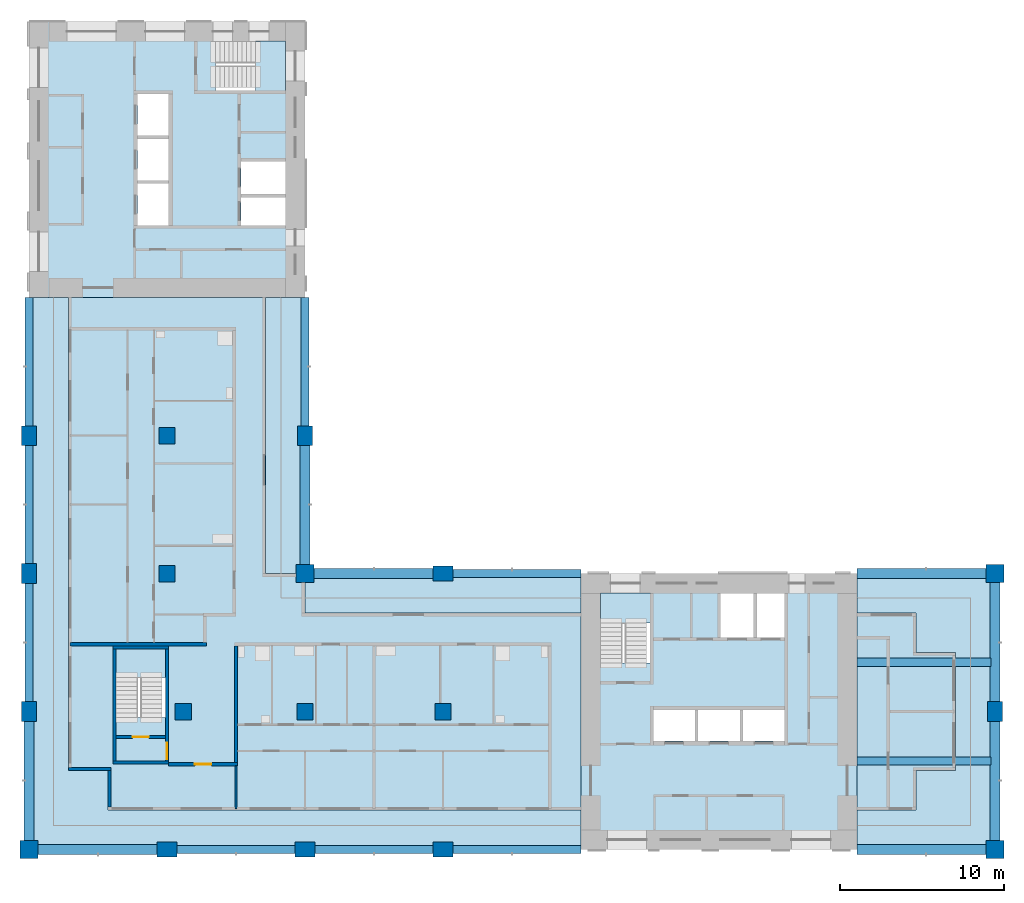
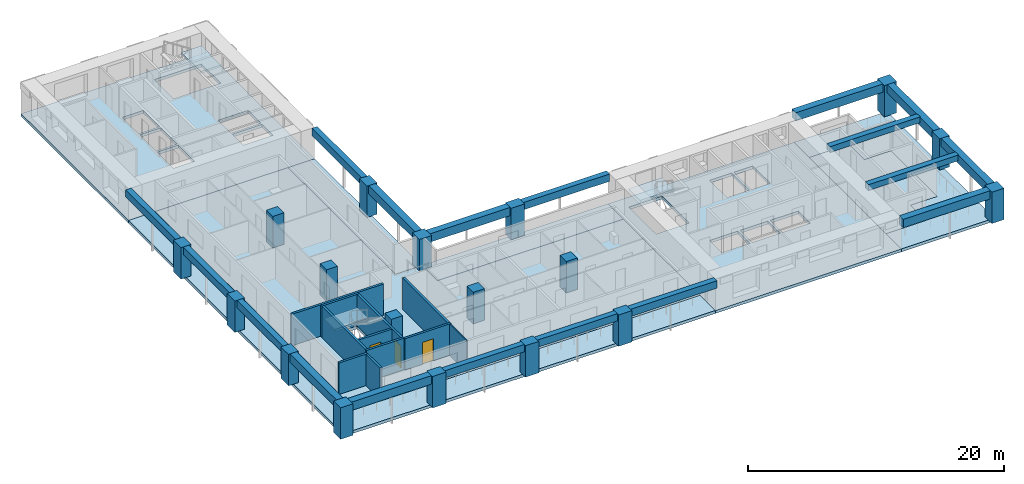
# One storey, part 1 of 11: 18 beams, 18 columns, 12 slabs, 11 walls, 3 doors, 3 openings, 3 elements without a shape of their own.
"""IFC4 building model written with IfcOpenShell, lengths in metres."""

from ifc_helpers import new_model, si_unit, direction, frame, frame_2d, origin, origin_2d, place, context, subcontext, project, spatial, polyline, rectangle, outline, extrude, material, layer, layer_set, material_profile, profile_set, type_object, element, fill, aggregate, save


model = new_model("IFC4")

# Units and contexts
model_context = context("Model", 3, precision=1e-05, world=origin(), true_north=direction((0.0, 1.0)))
body_context = subcontext(model_context, "Body", "Model", "MODEL_VIEW")
ifc_project = project(units=[si_unit("LENGTHUNIT", "METRE"), si_unit("AREAUNIT", "SQUARE_METRE"), si_unit("VOLUMEUNIT", "CUBIC_METRE"), si_unit("PLANEANGLEUNIT", "RADIAN"), si_unit("MASSUNIT", "GRAM", prefix="KILO")], contexts=[model_context])

# Site, building, storey
site_placement = place(None, origin())
site = spatial("IfcSite", under=ifc_project, at=site_placement, CompositionType="ELEMENT")
building_placement = place(site_placement, origin())
building = spatial("IfcBuilding", under=site, at=building_placement, Name="Vermilion Gate Residences", CompositionType="ELEMENT")
storey_placement = place(building_placement, frame((0.0, 0.0, 203.699951171875)))
storey = spatial("IfcBuildingStorey", under=building, at=storey_placement, Name="L53", CompositionType="ELEMENT", Elevation=203.699951171875)

# Columns
ifc_material_1 = material(Name="Concrete C60", Category="concrete")
ifc_material_profile_1 = material_profile(ifc_material_1, rectangle(XDim=1.0, YDim=1.0, at=origin_2d()), Name="RC-1000x1000")
ifc_profile_set_1 = profile_set([ifc_material_profile_1], Name="Concrete C60")
column_type_1 = type_object("IfcColumnType", Name="RC COLUMN 1000 X 1000 C60", PredefinedType="COLUMN", material=ifc_profile_set_1)
for number, where, z_axis, x_axis, name in (
    (1, (17.800048828125, 16.800048828125, 0.0), (0.0, 0.0, 1.0), (1.0, 0.0, 0.0), "Column 3-C L53"),
    (2, (16.800048828125, 25.199951171875, 0.0), (0.0, 0.0, 1.0), (1.0, 0.0, 0.0), "Column 3-D L53"),
    (3, (16.800048828125, 33.60009765625, 0.0), (0.0, 0.0, 1.0), (1.0, 0.0, 0.0), "Column 3-E L53"),
    (4, (25.199951171875, 16.800048828125, 0.0), (0.0, 0.0, 1.0), (1.0, 0.0, 0.0), "Column 4-C L53"),
    (5, (33.60009765625, 16.800048828125, 0.0), (0.0, 0.0, 1.0), (1.0, 0.0, 0.0), "Column 5-C L53"),
):
    element("IfcColumn", number, at=place(storey_placement, frame(where, z_axis=z_axis, x_axis=x_axis)), inside=storey, type_object=column_type_1, Name=name, PredefinedType="COLUMN", context=body_context, shape_type="SweptSolid", body=[
        extrude(rectangle(XDim=1.0, YDim=1.0, at=origin_2d()), origin(), (0.0, 0.0, 1.0), 3.0),
    ])
ifc_material_2 = material(Name="Concrete C60", Category="concrete")
ifc_material_profile_2 = material_profile(ifc_material_2, rectangle(XDim=1.10009765625, YDim=1.10009765625, at=origin_2d()), Name="RC-1100x1100")
ifc_profile_set_2 = profile_set([ifc_material_profile_2], Name="Concrete C60")
column_type_2 = type_object("IfcColumnType", Name="RC COLUMN 1100 X 1100 C60", PredefinedType="COLUMN", material=ifc_profile_set_2)
for number, where, z_axis, x_axis, name in (
    (6, (8.39990234375, 8.39990234375, 0.0), (0.0, 0.0, 1.0), (1.0, 0.0, 0.0), "Column 2-B L53"),
    (7, (25.199951171875, 25.199951171875, 0.0), (0.0, 0.0, 1.0), (1.0, 0.0, 0.0), "Column 4-D L53"),
    (8, (67.199951171875, 8.39990234375, 0.0), (0.0, 0.0, 1.0), (1.0, 0.0, 0.0), "Column 9-B L53"),
    (9, (67.199951171875, 25.199951171875, 0.0), (0.0, 0.0, 1.0), (1.0, 0.0, 0.0), "Column 9-D L53"),
):
    element("IfcColumn", number, at=place(storey_placement, frame(where, z_axis=z_axis, x_axis=x_axis)), inside=storey, type_object=column_type_2, Name=name, PredefinedType="COLUMN", context=body_context, shape_type="SweptSolid", body=[
        extrude(rectangle(XDim=1.10009765625, YDim=1.10009765625, at=origin_2d()), origin(), (0.0, 0.0, 1.0), 3.0),
    ])
ifc_material_3 = material(Name="Concrete C60", Category="concrete")
ifc_material_profile_3 = material_profile(ifc_material_3, rectangle(XDim=1.199951171875, YDim=0.89990234375, at=origin_2d()), Name="RC-1200x900")
ifc_profile_set_3 = profile_set([ifc_material_profile_3], Name="Concrete C60")
column_type_3 = type_object("IfcColumnType", Name="RC COLUMN 1200 X 900 C60", PredefinedType="COLUMN", material=ifc_profile_set_3)
for number, where, z_axis, x_axis, name in (
    (10, (8.39990234375, 16.800048828125, 0.0), (0.0, 0.0, 1.0), (0.0, 1.0, 0.0), "Column 2-C L53"),
    (11, (8.39990234375, 25.199951171875, 0.0), (0.0, 0.0, 1.0), (0.0, 1.0, 0.0), "Column 2-D L53"),
    (12, (8.39990234375, 33.60009765625, 0.0), (0.0, 0.0, 1.0), (0.0, 1.0, 0.0), "Column 2-E L53"),
    (13, (16.800048828125, 8.39990234375, 0.0), (0.0, 0.0, 1.0), (1.0, 0.0, 0.0), "Column 3-B L53"),
    (14, (25.199951171875, 8.39990234375, 0.0), (0.0, 0.0, 1.0), (1.0, 0.0, 0.0), "Column 4-B L53"),
    (15, (25.199951171875, 33.60009765625, 0.0), (0.0, 0.0, 1.0), (0.0, 1.0, 0.0), "Column 4-E L53"),
    (16, (33.60009765625, 8.39990234375, 0.0), (0.0, 0.0, 1.0), (1.0, 0.0, 0.0), "Column 5-B L53"),
    (17, (33.60009765625, 25.199951171875, 0.0), (0.0, 0.0, 1.0), (1.0, 0.0, 0.0), "Column 5-D L53"),
    (18, (67.199951171875, 16.800048828125, 0.0), (0.0, 0.0, 1.0), (0.0, 1.0, 0.0), "Column 9-C L53"),
):
    element("IfcColumn", number, at=place(storey_placement, frame(where, z_axis=z_axis, x_axis=x_axis)), inside=storey, type_object=column_type_3, Name=name, PredefinedType="COLUMN", context=body_context, shape_type="SweptSolid", body=[
        extrude(rectangle(XDim=1.199951171875, YDim=0.89990234375, at=origin_2d()), origin(), (0.0, 0.0, 1.0), 3.0),
    ])

# Beams
ifc_material_4 = material(Name="Concrete C60 red-oxide pigmented", Category="concrete")
ifc_material_profile_4 = material_profile(ifc_material_4, rectangle(XDim=0.60009765625, YDim=0.800048828125, at=origin_2d()), Name="RC-600x800")
ifc_profile_set_4 = profile_set([ifc_material_profile_4], Name="Concrete C60 red-oxide pigmented")
beam_type_1 = type_object("IfcBeamType", Name="RC CORNER EDGE BEAM 600 X 800 C60", PredefinedType="BEAM", material=ifc_profile_set_4)
for number, where, z_axis, x_axis, name in (
    (19, (8.949951171875, 8.39990234375, 2.60009765625), (1.0, 0.0, 0.0), (0.0, 1.0, 0.0), "Corner edge beam L53 1"),
    (20, (8.39990234375, 8.949951171875, 2.60009765625), (0.0, 1.0, 0.0), (-1.0, 0.0, 0.0), "Corner edge beam L53 2"),
    (21, (25.199951171875, 25.75, 2.60009765625), (0.0, 1.0, 0.0), (-1.0, 0.0, 0.0), "Corner edge beam L53 7"),
    (22, (25.75, 25.199951171875, 2.60009765625), (1.0, 0.0, 0.0), (0.0, 1.0, 0.0), "Corner edge beam L53 10"),
):
    element("IfcBeam", number, at=place(storey_placement, frame(where, z_axis=z_axis, x_axis=x_axis)), inside=storey, type_object=beam_type_1, Name=name, PredefinedType="BEAM", context=body_context, shape_type="SweptSolid", body=[
        extrude(rectangle(XDim=0.60009765625, YDim=0.800048828125, at=origin_2d()), origin(), (0.0, 0.0, 1.0), 7.25),
    ])
beam_1_placement = place(storey_placement, frame((58.800048828125, 8.39990234375, 2.60009765625), z_axis=(1.0, 0.0, 0.0), x_axis=(0.0, 1.0, 0.0)))
element("IfcBeam", 23, at=beam_1_placement, inside=storey, type_object=beam_type_1, Name="Corner edge beam L53 13", PredefinedType="BEAM", context=body_context, shape_type="SweptSolid", body=[
    extrude(rectangle(XDim=0.60009765625, YDim=0.800048828125, at=origin_2d()), origin(), (0.0, 0.0, 1.0), 7.849853515625),
])
for number, where, z_axis, x_axis, name in (
    (24, (67.199951171875, 8.949951171875, 2.60009765625), (0.0, 1.0, 0.0), (-1.0, 0.0, 0.0), "Corner edge beam L53 14"),
    (25, (67.199951171875, 17.39990234375, 2.60009765625), (0.0, 1.0, 0.0), (-1.0, 0.0, 0.0), "Corner edge beam L53 15"),
):
    element("IfcBeam", number, at=place(storey_placement, frame(where, z_axis=z_axis, x_axis=x_axis)), inside=storey, type_object=beam_type_1, Name=name, PredefinedType="BEAM", context=body_context, shape_type="SweptSolid", body=[
        extrude(rectangle(XDim=0.60009765625, YDim=0.800048828125, at=origin_2d()), origin(), (0.0, 0.0, 1.0), 7.25),
    ])
beam_2_placement = place(storey_placement, frame((58.800048828125, 25.199951171875, 2.60009765625), z_axis=(1.0, 0.0, 0.0), x_axis=(0.0, 1.0, 0.0)))
element("IfcBeam", 26, at=beam_2_placement, inside=storey, type_object=beam_type_1, Name="Corner edge beam L53 16", PredefinedType="BEAM", context=body_context, shape_type="SweptSolid", body=[
    extrude(rectangle(XDim=0.60009765625, YDim=0.800048828125, at=origin_2d()), origin(), (0.0, 0.0, 1.0), 7.849853515625),
])
ifc_material_5 = material(Name="Concrete C60 red-oxide pigmented", Category="concrete")
ifc_material_profile_5 = material_profile(ifc_material_5, rectangle(XDim=0.5, YDim=0.699951171875, at=origin_2d()), Name="RC-500x700")
ifc_profile_set_5 = profile_set([ifc_material_profile_5], Name="Concrete C60 red-oxide pigmented")
beam_type_2 = type_object("IfcBeamType", Name="RC EDGE BEAM 500 X 700 C60", PredefinedType="BEAM", material=ifc_profile_set_5)
beam_3_placement = place(storey_placement, frame((8.39990234375, 17.39990234375, 2.650146484375), z_axis=(0.0, 1.0, 0.0), x_axis=(-1.0, 0.0, 0.0)))
element("IfcBeam", 27, at=beam_3_placement, inside=storey, type_object=beam_type_2, Name="Edge beam L53 3", PredefinedType="BEAM", context=body_context, shape_type="SweptSolid", body=[
    extrude(rectangle(XDim=0.5, YDim=0.699951171875, at=origin_2d()), origin(), (0.0, 0.0, 1.0), 7.2001953125),
])
beam_4_placement = place(storey_placement, frame((8.39990234375, 25.800048828125, 2.650146484375), z_axis=(0.0, 1.0, 0.0), x_axis=(-1.0, 0.0, 0.0)))
element("IfcBeam", 28, at=beam_4_placement, inside=storey, type_object=beam_type_2, Name="Edge beam L53 4", PredefinedType="BEAM", context=body_context, shape_type="SweptSolid", body=[
    extrude(rectangle(XDim=0.5, YDim=0.699951171875, at=origin_2d()), origin(), (0.0, 0.0, 1.0), 7.199951171875),
])
beam_5_placement = place(storey_placement, frame((8.39990234375, 34.199951171875, 2.650146484375), z_axis=(0.0, 1.0, 0.0), x_axis=(-1.0, 0.0, 0.0)))
element("IfcBeam", 29, at=beam_5_placement, inside=storey, type_object=beam_type_2, Name="Edge beam L53 5", PredefinedType="BEAM", context=body_context, shape_type="SweptSolid", body=[
    extrude(rectangle(XDim=0.5, YDim=0.699951171875, at=origin_2d()), origin(), (0.0, 0.0, 1.0), 7.800048828125),
])
beam_6_placement = place(storey_placement, frame((17.39990234375, 8.39990234375, 2.650146484375), z_axis=(1.0, 0.0, 0.0), x_axis=(0.0, 1.0, 0.0)))
element("IfcBeam", 30, at=beam_6_placement, inside=storey, type_object=beam_type_2, Name="Edge beam L53 6", PredefinedType="BEAM", context=body_context, shape_type="SweptSolid", body=[
    extrude(rectangle(XDim=0.5, YDim=0.699951171875, at=origin_2d()), origin(), (0.0, 0.0, 1.0), 7.2001953125),
])
beam_7_placement = place(storey_placement, frame((25.199951171875, 34.199951171875, 2.650146484375), z_axis=(0.0, 1.0, 0.0), x_axis=(-1.0, 0.0, 0.0)))
element("IfcBeam", 31, at=beam_7_placement, inside=storey, type_object=beam_type_2, Name="Edge beam L53 8", PredefinedType="BEAM", context=body_context, shape_type="SweptSolid", body=[
    extrude(rectangle(XDim=0.5, YDim=0.699951171875, at=origin_2d()), origin(), (0.0, 0.0, 1.0), 7.800048828125),
])
beam_8_placement = place(storey_placement, frame((25.800048828125, 8.39990234375, 2.650146484375), z_axis=(1.0, 0.0, 0.0), x_axis=(0.0, 1.0, 0.0)))
element("IfcBeam", 32, at=beam_8_placement, inside=storey, type_object=beam_type_2, Name="Edge beam L53 9", PredefinedType="BEAM", context=body_context, shape_type="SweptSolid", body=[
    extrude(rectangle(XDim=0.5, YDim=0.699951171875, at=origin_2d()), origin(), (0.0, 0.0, 1.0), 7.199951171875),
])
for number, where, z_axis, x_axis, name in (
    (33, (34.199951171875, 8.39990234375, 2.650146484375), (1.0, 0.0, 0.0), (0.0, 1.0, 0.0), "Edge beam L53 11"),
    (34, (34.199951171875, 25.199951171875, 2.650146484375), (1.0, 0.0, 0.0), (0.0, 1.0, 0.0), "Edge beam L53 12"),
):
    element("IfcBeam", number, at=place(storey_placement, frame(where, z_axis=z_axis, x_axis=x_axis)), inside=storey, type_object=beam_type_2, Name=name, PredefinedType="BEAM", context=body_context, shape_type="SweptSolid", body=[
        extrude(rectangle(XDim=0.5, YDim=0.699951171875, at=origin_2d()), origin(), (0.0, 0.0, 1.0), 7.800048828125),
    ])
ifc_material_6 = material(Name="Concrete C60", Category="concrete")
ifc_material_profile_6 = material_profile(ifc_material_6, rectangle(XDim=0.5, YDim=0.550048828125, at=origin_2d()), Name="RC-500x550")
ifc_profile_set_6 = profile_set([ifc_material_profile_6], Name="Concrete C60")
beam_type_3 = type_object("IfcBeamType", Name="RC WING BEAM 500 X 550 C60", PredefinedType="BEAM", material=ifc_profile_set_6)
for number, where, z_axis, x_axis, name in (
    (35, (58.800048828125, 13.800048828125, 2.72509765625), (1.0, 0.0, 0.0), (0.0, 1.0, 0.0), "Wing-end beam L53 1"),
    (36, (58.800048828125, 19.800048828125, 2.72509765625), (1.0, 0.0, 0.0), (0.0, 1.0, 0.0), "Wing-end beam L53 2"),
):
    element("IfcBeam", number, at=place(storey_placement, frame(where, z_axis=z_axis, x_axis=x_axis)), inside=storey, type_object=beam_type_3, Name=name, PredefinedType="BEAM", context=body_context, shape_type="SweptSolid", body=[
        extrude(rectangle(XDim=0.5, YDim=0.550048828125, at=origin_2d()), origin(), (0.0, 0.0, 1.0), 8.14990234375),
    ])

# Slabs
ifc_material_7 = material(Name="Concrete C50", Category="concrete")
ifc_layer_1 = layer(ifc_material_7, 0.280029296875)
ifc_layer_set_1 = layer_set([ifc_layer_1], Name="RC CORE FLOOR SLAB 280 C50")
slab_type_1 = type_object("IfcSlabType", Name="RC CORE FLOOR SLAB 280 C50", PredefinedType="FLOOR", material=ifc_layer_set_1)
slab_1_placement = place(storey_placement, frame((0.0, 0.0, -0.280029296875)))
element("IfcSlab", 37, at=slab_1_placement, inside=storey, type_object=slab_type_1, Name="Core floor slab A53", PredefinedType="FLOOR", context=body_context, shape_type="SweptSolid", body=[
    extrude(outline(polyline([(42.0, 8.39990234375), (58.800048828125, 8.39990234375), (58.800048828125, 25.199951171875), (42.0, 25.199951171875), (42.0, 8.39990234375)]), holes=[polyline([(46.39990234375, 15.0), (46.39990234375, 16.89990234375), (48.933349609375, 16.89990234375), (48.933349609375, 15.0), (46.39990234375, 15.0)]), polyline([(49.13330078125, 16.89990234375), (51.666748046875, 16.89990234375), (51.666748046875, 15.0), (49.13330078125, 15.0), (49.13330078125, 16.89990234375)]), polyline([(51.86669921875, 16.89990234375), (54.39990234375, 16.89990234375), (54.39990234375, 15.0), (51.86669921875, 15.0), (51.86669921875, 16.89990234375)]), polyline([(43.199951171875, 19.75), (43.199951171875, 24.0), (46.199951171875, 24.0), (46.199951171875, 19.75), (43.199951171875, 19.75)]), polyline([(50.5, 24.0), (52.5, 24.0), (52.5, 21.300048828125), (50.5, 21.300048828125), (50.5, 24.0)]), polyline([(52.699951171875, 24.0), (54.39990234375, 24.0), (54.39990234375, 21.300048828125), (52.699951171875, 21.300048828125), (52.699951171875, 24.0)])]), origin(), (0.0, 0.0, 1.0), 0.280029296875),
])
slab_2_placement = place(storey_placement, frame((0.0, 0.0, -0.280029296875)))
element("IfcSlab", 38, at=slab_2_placement, inside=storey, type_object=slab_type_1, Name="Core floor slab B53", PredefinedType="FLOOR", context=body_context, shape_type="SweptSolid", body=[
    extrude(outline(polyline([(8.39990234375, 42.0), (25.199951171875, 42.0), (25.199951171875, 58.800048828125), (8.39990234375, 58.800048828125), (8.39990234375, 42.0)]), holes=[polyline([(21.300048828125, 46.39990234375), (21.300048828125, 48.10009765625), (24.0, 48.10009765625), (24.0, 46.39990234375), (21.300048828125, 46.39990234375)]), polyline([(15.0, 48.933349609375), (16.89990234375, 48.933349609375), (16.89990234375, 46.39990234375), (15.0, 46.39990234375), (15.0, 48.933349609375)]), polyline([(21.300048828125, 50.300048828125), (24.0, 50.300048828125), (24.0, 48.300048828125), (21.300048828125, 48.300048828125), (21.300048828125, 50.300048828125)]), polyline([(15.0, 49.13330078125), (15.0, 51.666748046875), (16.89990234375, 51.666748046875), (16.89990234375, 49.13330078125), (15.0, 49.13330078125)]), polyline([(15.0, 54.39990234375), (16.89990234375, 54.39990234375), (16.89990234375, 51.86669921875), (15.0, 51.86669921875), (15.0, 54.39990234375)]), polyline([(19.75, 57.60009765625), (24.0, 57.60009765625), (24.0, 54.60009765625), (19.75, 54.60009765625), (19.75, 57.60009765625)])]), origin(), (0.0, 0.0, 1.0), 0.280029296875),
])
slab_3_placement = place(storey_placement, frame((0.0, 0.0, -0.280029296875)))
element("IfcSlab", 39, at=slab_3_placement, inside=storey, type_object=slab_type_1, Name="Apex stair floor slab 53", PredefinedType="FLOOR", context=body_context, shape_type="SweptSolid", body=[
    extrude(outline(polyline([(13.5, 13.60009765625), (16.89990234375, 13.60009765625), (16.89990234375, 20.800048828125), (13.5, 20.800048828125), (13.5, 13.60009765625)]), holes=[polyline([(16.699951171875, 20.60009765625), (16.699951171875, 16.449951171875), (13.699951171875, 16.449951171875), (13.699951171875, 20.60009765625), (16.699951171875, 20.60009765625)])]), origin(), (0.0, 0.0, 1.0), 0.280029296875),
])
ifc_material_8 = material(Name="Concrete C50", Category="concrete")
ifc_layer_2 = layer(ifc_material_8, 0.280029296875)
ifc_layer_set_2 = layer_set([ifc_layer_2], Name="RC FLAT PLATE 280 C50")
slab_type_2 = type_object("IfcSlabType", Name="RC FLAT PLATE 280 C50", PredefinedType="FLOOR", material=ifc_layer_set_2)
slab_4_placement = place(storey_placement, frame((0.0, 0.0, -0.280029296875)))
element("IfcSlab", 40, at=slab_4_placement, inside=storey, type_object=slab_type_2, Name="Floor slab L53", PredefinedType="FLOOR", context=body_context, shape_type="SweptSolid", body=[
    extrude(outline(polyline([(22.800048828125, 25.199951171875), (22.800048828125, 42.0), (10.800048828125, 42.0), (10.800048828125, 13.199951171875), (13.199951171875, 13.199951171875), (13.199951171875, 10.800048828125), (42.0, 10.800048828125), (42.0, 22.800048828125), (25.199951171875, 22.800048828125), (25.199951171875, 25.199951171875), (22.800048828125, 25.199951171875)]), holes=[polyline([(13.5, 13.60009765625), (13.5, 20.800048828125), (16.89990234375, 20.800048828125), (16.89990234375, 13.60009765625), (13.5, 13.60009765625)])]), origin(), (0.0, 0.0, 1.0), 0.280029296875),
])
slab_5_placement = place(storey_placement, frame((0.0, 0.0, -0.280029296875)))
element("IfcSlab", 41, at=slab_5_placement, inside=storey, type_object=slab_type_2, Name="Floor slab L53", PredefinedType="FLOOR", context=body_context, shape_type="SweptSolid", body=[
    extrude(outline(polyline([(58.800048828125, 22.800048828125), (58.800048828125, 10.800048828125), (62.39990234375, 10.800048828125), (62.39990234375, 13.199951171875), (64.800048828125, 13.199951171875), (64.800048828125, 20.39990234375), (62.39990234375, 20.39990234375), (62.39990234375, 22.800048828125), (58.800048828125, 22.800048828125)])), origin(), (0.0, 0.0, 1.0), 0.280029296875),
])
ifc_material_9 = material(Name="Concrete C50 red-oxide pigmented", Category="concrete")
ifc_layer_3 = layer(ifc_material_9, 0.280029296875)
ifc_layer_set_3 = layer_set([ifc_layer_3], Name="RC LOGGIA SLAB 280 C50")
slab_type_3 = type_object("IfcSlabType", Name="RC LOGGIA SLAB 280 C50", PredefinedType="FLOOR", material=ifc_layer_set_3)
slab_6_placement = place(storey_placement, frame((0.0, 0.0, -0.280029296875)))
element("IfcSlab", 42, at=slab_6_placement, inside=storey, type_object=slab_type_3, Name="Loggia slab L53", PredefinedType="FLOOR", context=body_context, shape_type="SweptSolid", body=[
    extrude(outline(polyline([(8.39990234375, 42.0), (8.39990234375, 8.39990234375), (42.0, 8.39990234375), (42.0, 10.800048828125), (13.199951171875, 10.800048828125), (13.199951171875, 13.199951171875), (10.800048828125, 13.199951171875), (10.800048828125, 42.0), (8.39990234375, 42.0)])), origin(), (0.0, 0.0, 1.0), 0.280029296875),
])
slab_7_placement = place(storey_placement, frame((0.0, 0.0, -0.280029296875)))
element("IfcSlab", 43, at=slab_7_placement, inside=storey, type_object=slab_type_3, Name="Loggia slab L53", PredefinedType="FLOOR", context=body_context, shape_type="SweptSolid", body=[
    extrude(outline(polyline([(64.800048828125, 13.199951171875), (62.39990234375, 13.199951171875), (62.39990234375, 10.800048828125), (58.800048828125, 10.800048828125), (58.800048828125, 8.39990234375), (67.199951171875, 8.39990234375), (67.199951171875, 25.199951171875), (58.800048828125, 25.199951171875), (58.800048828125, 22.800048828125), (62.39990234375, 22.800048828125), (62.39990234375, 20.39990234375), (64.800048828125, 20.39990234375), (64.800048828125, 13.199951171875)])), origin(), (0.0, 0.0, 1.0), 0.280029296875),
])
slab_8_placement = place(storey_placement, frame((0.0, 0.0, -0.280029296875)))
element("IfcSlab", 44, at=slab_8_placement, inside=storey, type_object=slab_type_3, Name="Loggia slab L53", PredefinedType="FLOOR", context=body_context, shape_type="SweptSolid", body=[
    extrude(outline(polyline([(42.0, 25.199951171875), (25.199951171875, 25.199951171875), (25.199951171875, 22.800048828125), (42.0, 22.800048828125), (42.0, 25.199951171875)])), origin(), (0.0, 0.0, 1.0), 0.280029296875),
])
slab_9_placement = place(storey_placement, frame((0.0, 0.0, -0.280029296875)))
element("IfcSlab", 45, at=slab_9_placement, inside=storey, type_object=slab_type_3, Name="Loggia slab L53", PredefinedType="FLOOR", context=body_context, shape_type="SweptSolid", body=[
    extrude(outline(polyline([(22.800048828125, 42.0), (22.800048828125, 25.199951171875), (25.199951171875, 25.199951171875), (25.199951171875, 42.0), (22.800048828125, 42.0)])), origin(), (0.0, 0.0, 1.0), 0.280029296875),
])

# Stair, slab
ifc_material_10 = material(Name="Concrete C50", Category="concrete")
stair_type = type_object("IfcStairType", Name="SPECIAL ESCAPE STAIR 1300", PredefinedType="HALF_TURN_STAIR", material=ifc_material_10)
stair_1_placement = place(storey_placement, origin())
stair_1 = element("IfcStair", 46, at=stair_1_placement, inside=storey, type_object=stair_type, Name="Special escape stair STA1-53", PredefinedType="HALF_TURN_STAIR")
ifc_material_11 = material(Name="Concrete C50", Category="concrete")
ifc_layer_4 = layer(ifc_material_11, 0.199951171875)
ifc_layer_set_4 = layer_set([ifc_layer_4], Name="STAIR LANDING 200 C50")
slab_type_4 = type_object("IfcSlabType", Name="STAIR LANDING 200 C50", PredefinedType="LANDING", material=ifc_layer_set_4)
slab_10_placement = place(storey_placement, frame((0.0, 0.0, 1.550048828125)))
slab_10 = element("IfcSlab", 47, at=slab_10_placement, type_object=slab_type_4, Name="STA1-53 landing 1", PredefinedType="LANDING", context=body_context, shape_type="SweptSolid", body=[
    extrude(outline(polyline([(46.219970703125, 22.179931640625), (46.219970703125, 24.02001953125), (43.179931640625, 24.02001953125), (43.179931640625, 22.179931640625), (46.219970703125, 22.179931640625)])), origin(), (0.0, 0.0, 1.0), 0.199951171875),
])
aggregate(stair_1, [slab_10])

stair_2_placement = place(storey_placement, origin())
stair_2 = element("IfcStair", 48, at=stair_2_placement, inside=storey, type_object=stair_type, Name="Special escape stair STB1-53", PredefinedType="HALF_TURN_STAIR")
slab_11_placement = place(storey_placement, frame((0.0, 0.0, 1.550048828125)))
slab_11 = element("IfcSlab", 49, at=slab_11_placement, type_object=slab_type_4, Name="STB1-53 landing 1", PredefinedType="LANDING", context=body_context, shape_type="SweptSolid", body=[
    extrude(outline(polyline([(24.02001953125, 54.580078125), (24.02001953125, 57.6201171875), (22.179931640625, 57.6201171875), (22.179931640625, 54.580078125), (24.02001953125, 54.580078125)])), origin(), (0.0, 0.0, 1.0), 0.199951171875),
])
aggregate(stair_2, [slab_11])

stair_3_placement = place(storey_placement, origin())
stair_3 = element("IfcStair", 50, at=stair_3_placement, inside=storey, type_object=stair_type, Name="Special escape stair STC1-53", PredefinedType="HALF_TURN_STAIR")
slab_12_placement = place(storey_placement, frame((0.0, 0.0, 1.550048828125)))
slab_12 = element("IfcSlab", 51, at=slab_12_placement, type_object=slab_type_4, Name="STC1-53 landing 1", PredefinedType="LANDING", context=body_context, shape_type="SweptSolid", body=[
    extrude(outline(polyline([(16.719970703125, 18.8798828125), (16.719970703125, 20.6201171875), (13.679931640625, 20.6201171875), (13.679931640625, 18.8798828125), (16.719970703125, 18.8798828125)])), origin(), (0.0, 0.0, 1.0), 0.199951171875),
])
aggregate(stair_3, [slab_12])

# Walls
ifc_material_12 = material(Name="Insulated steel stud wall with terracotta rainscreen", Category="masonry")
ifc_layer_5 = layer(ifc_material_12, 0.199951171875)
ifc_layer_set_5 = layer_set([ifc_layer_5], Name="EXTERNAL WALL 200 TERRACOTTA RAINSCREEN")
wall_type_1 = type_object("IfcWallType", Name="EXTERNAL WALL 200 TERRACOTTA RAINSCREEN", PredefinedType="SOLIDWALL", material=ifc_layer_set_5)
wall_1_placement = place(storey_placement, frame((10.800048828125, 13.300048828125, 0.0), z_axis=(0.0, 0.0, 1.0), x_axis=(1.0, 0.0, 0.0)))
element("IfcWall", 52, at=wall_1_placement, inside=storey, type_object=wall_type_1, Name="External wall", PredefinedType="SOLIDWALL", context=body_context, shape_type="SweptSolid", body=[
    extrude(rectangle(XDim=2.599853515625, YDim=0.199951171875, at=frame_2d((1.2998046875, 0.0))), origin(), (0.0, 0.0, 1.0), 3.0),
])
wall_2_placement = place(storey_placement, frame((13.300048828125, 13.199951171875, 0.0), z_axis=(0.0, 0.0, 1.0), x_axis=(0.0, -1.0, 0.0)))
element("IfcWall", 53, at=wall_2_placement, inside=storey, type_object=wall_type_1, Name="External wall", PredefinedType="SOLIDWALL", context=body_context, shape_type="SweptSolid", body=[
    extrude(rectangle(XDim=2.199951171875, YDim=0.199951171875, at=frame_2d((1.10009765625, 0.0))), origin(), (0.0, 0.0, 1.0), 3.0),
])
ifc_material_13 = material(Name="Plasterboard on steel studs", Category="steel")
ifc_layer_6 = layer(ifc_material_13, 0.10009765625)
ifc_layer_set_6 = layer_set([ifc_layer_6], Name="PARTITION 100")
wall_type_2 = type_object("IfcWallType", Name="PARTITION 100", PredefinedType="PARTITIONING", material=ifc_layer_set_6)
wall_3_placement = place(storey_placement, frame((21.0, 10.89990234375, 0.0), z_axis=(0.0, 0.0, 1.0), x_axis=(0.0, 1.0, 0.0)))
element("IfcWall", 54, at=wall_3_placement, inside=storey, type_object=wall_type_2, Name="Partition", PredefinedType="PARTITIONING", context=body_context, shape_type="SweptSolid", body=[
    extrude(rectangle(XDim=2.60009765625, YDim=0.10009765625, at=frame_2d((1.300048828125, 0.0))), origin(), (0.0, 0.0, 1.0), 3.0),
])

# Wall, opening, door
ifc_material_14 = material(Name="Fire-rated plasterboard on steel studs", Category="steel")
ifc_layer_7 = layer(ifc_material_14, 0.199951171875)
ifc_layer_set_7 = layer_set([ifc_layer_7], Name="PARTY WALL 200 EI 120")
wall_type_3 = type_object("IfcWallType", Name="PARTY WALL 200 EI 120", PredefinedType="PARTITIONING", material=ifc_layer_set_7)
wall_4_placement = place(storey_placement, frame((16.89990234375, 13.60009765625, 0.0), z_axis=(0.0, 0.0, 1.0), x_axis=(1.0, 0.0, 0.0)))
wall_4 = element("IfcWall", 55, at=wall_4_placement, inside=storey, type_object=wall_type_3, Name="Party and corridor wall", PredefinedType="PARTITIONING", context=body_context, shape_type="SweptSolid", body=[
    extrude(rectangle(XDim=4.2001953125, YDim=0.199951171875, at=frame_2d((2.10009765625, 0.0))), origin(), (0.0, 0.0, 1.0), 3.0),
])
opening_1_placement = place(wall_4_placement, frame((1.60009765625, 0.0, 0.0)))
opening_1 = element("IfcOpeningElement", 56, at=opening_1_placement, cuts=wall_4, Name="Opening DA52001", PredefinedType="OPENING", context=body_context, shape_type="SweptSolid", body=[
    extrude(rectangle(XDim=1.0, YDim=2.10009765625, at=frame_2d((0.5, 1.050048828125))), frame((0.0, 0.10986328125, 0.0), z_axis=(0.0, -1.0, 0.0), x_axis=(1.0, 0.0, 0.0)), (0.0, 0.0, 1.0), 0.219970703125),
])
ifc_material_15 = material(Name="Steel", Category="steel")
door_type_1 = type_object("IfcDoorType", Name="ENTRANCE DOOR 1000 X 2100 FD30", OperationType="SINGLE_SWING_LEFT", PredefinedType="DOOR", material=ifc_material_15)
door_1_placement = place(opening_1_placement, frame((1.0, 0.0, 0.0), z_axis=(0.0, 0.0, 1.0), x_axis=(-1.0, 0.0, 0.0)))
door_1 = element("IfcDoor", 57, at=door_1_placement, inside=storey, type_object=door_type_1, Name="Entrance door", OperationType="SINGLE_SWING_LEFT", OverallHeight=2.10009765625, OverallWidth=1.0, PredefinedType="DOOR", context=body_context, shape_type="SweptSolid", body=[
    extrude(rectangle(XDim=1.0, YDim=2.10009765625, at=frame_2d((0.5, 1.050048828125))), frame((0.0, 0.02490234375, 0.0), z_axis=(0.0, -1.0, 0.0), x_axis=(1.0, 0.0, 0.0)), (0.0, 0.0, 1.0), 0.050048828125),
])
fill(opening_1, door_1)

# Walls
wall_5_placement = place(storey_placement, frame((10.89990234375, 20.89990234375, 0.0), z_axis=(0.0, 0.0, 1.0), x_axis=(1.0, 0.0, 0.0)))
element("IfcWall", 58, at=wall_5_placement, inside=storey, type_object=wall_type_3, Name="Party and corridor wall", PredefinedType="PARTITIONING", context=body_context, shape_type="SweptSolid", body=[
    extrude(rectangle(XDim=8.300048828125, YDim=0.199951171875, at=frame_2d((4.14990234375, 0.0))), origin(), (0.0, 0.0, 1.0), 3.0),
])
wall_6_placement = place(storey_placement, frame((21.0, 13.699951171875, 0.0), z_axis=(0.0, 0.0, 1.0), x_axis=(0.0, 1.0, 0.0)))
element("IfcWall", 59, at=wall_6_placement, inside=storey, type_object=wall_type_3, Name="Party and corridor wall", PredefinedType="PARTITIONING", context=body_context, shape_type="SweptSolid", body=[
    extrude(rectangle(XDim=7.10009765625, YDim=0.199951171875, at=frame_2d((3.550048828125, 0.0))), origin(), (0.0, 0.0, 1.0), 3.0),
])
ifc_material_16 = material(Name="Concrete C60", Category="concrete")
ifc_layer_8 = layer(ifc_material_16, 0.199951171875)
ifc_layer_set_8 = layer_set([ifc_layer_8], Name="RC CORE INTERNAL WALL 200 C60")
wall_type_4 = type_object("IfcWallType", Name="RC CORE INTERNAL WALL 200 C60", PredefinedType="SHEAR", material=ifc_layer_set_8)
wall_7_placement = place(storey_placement, frame((13.60009765625, 13.800048828125, 0.0), z_axis=(0.0, 0.0, 1.0), x_axis=(0.0, 1.0, 0.0)))
element("IfcWall", 60, at=wall_7_placement, inside=storey, type_object=wall_type_4, Name="Core internal wall C53-W", PredefinedType="SHEAR", context=body_context, shape_type="SweptSolid", body=[
    extrude(rectangle(XDim=6.800048828125, YDim=0.199951171875, at=frame_2d((3.39990234375, 0.0))), origin(), (0.0, 0.0, 1.0), 3.0),
])

# Wall, opening, door
wall_8_placement = place(storey_placement, frame((16.800048828125, 13.800048828125, 0.0), z_axis=(0.0, 0.0, 1.0), x_axis=(0.0, 1.0, 0.0)))
wall_8 = element("IfcWall", 61, at=wall_8_placement, inside=storey, type_object=wall_type_4, Name="Core internal wall C53-E", PredefinedType="SHEAR", context=body_context, shape_type="SweptSolid", body=[
    extrude(rectangle(XDim=6.800048828125, YDim=0.199951171875, at=frame_2d((3.39990234375, 0.0))), origin(), (0.0, 0.0, 1.0), 3.0),
])
opening_2_placement = place(wall_8_placement, frame((0.10009765625, 0.0, 0.0)))
opening_2 = element("IfcOpeningElement", 62, at=opening_2_placement, cuts=wall_8, Name="Opening DK53201", PredefinedType="OPENING", context=body_context, shape_type="SweptSolid", body=[
    extrude(rectangle(XDim=1.0, YDim=2.10009765625, at=frame_2d((0.5, 1.050048828125))), frame((0.0, 0.10986328125, 0.0), z_axis=(0.0, -1.0, 0.0), x_axis=(1.0, 0.0, 0.0)), (0.0, 0.0, 1.0), 0.219970703125),
])
ifc_material_17 = material(Name="Steel", Category="steel")
door_type_2 = type_object("IfcDoorType", Name="FIRE DOOR FD60 1000 X 2100", OperationType="SINGLE_SWING_LEFT", PredefinedType="DOOR", material=ifc_material_17)
door_2_placement = place(opening_2_placement, frame((1.0, 0.0, 0.0), z_axis=(0.0, 0.0, 1.0), x_axis=(-1.0, 0.0, 0.0)))
door_2 = element("IfcDoor", 63, at=door_2_placement, inside=storey, type_object=door_type_2, Name="Stair vestibule door C53", OperationType="SINGLE_SWING_RIGHT", OverallHeight=2.10009765625, OverallWidth=1.0, PredefinedType="DOOR", context=body_context, shape_type="SweptSolid", body=[
    extrude(rectangle(XDim=1.0, YDim=2.10009765625, at=frame_2d((0.5, 1.050048828125))), frame((0.0, 0.02490234375, 0.0), z_axis=(0.0, -1.0, 0.0), x_axis=(1.0, 0.0, 0.0)), (0.0, 0.0, 1.0), 0.050048828125),
])
fill(opening_2, door_2)

# Walls
for number, where, z_axis, x_axis, name in (
    (64, (13.5, 13.699951171875, 0.0), (0.0, 0.0, 1.0), (1.0, 0.0, 0.0), "Core internal wall C53-S"),
    (65, (13.5, 20.699951171875, 0.0), (0.0, 0.0, 1.0), (1.0, 0.0, 0.0), "Core internal wall C53-N"),
):
    element("IfcWall", number, at=place(storey_placement, frame(where, z_axis=z_axis, x_axis=x_axis)), inside=storey, type_object=wall_type_4, Name=name, PredefinedType="SHEAR", context=body_context, shape_type="SweptSolid", body=[
        extrude(rectangle(XDim=3.39990234375, YDim=0.199951171875, at=frame_2d((1.699951171875, 0.0))), origin(), (0.0, 0.0, 1.0), 3.0),
    ])

# Wall, opening, door
wall_9_placement = place(storey_placement, frame((13.699951171875, 15.25, 0.0), z_axis=(0.0, 0.0, 1.0), x_axis=(1.0, 0.0, 0.0)))
wall_9 = element("IfcWall", 66, at=wall_9_placement, inside=storey, type_object=wall_type_4, Name="Core internal wall C53-P", PredefinedType="SHEAR", context=body_context, shape_type="SweptSolid", body=[
    extrude(rectangle(XDim=3.0, YDim=0.199951171875, at=frame_2d((1.5, 0.0))), origin(), (0.0, 0.0, 1.0), 3.0),
])
opening_3_placement = place(wall_9_placement, frame((1.0, 0.0, 0.0)))
opening_3 = element("IfcOpeningElement", 67, at=opening_3_placement, cuts=wall_9, Name="Opening DK53202", PredefinedType="OPENING", context=body_context, shape_type="SweptSolid", body=[
    extrude(rectangle(XDim=1.0, YDim=2.10009765625, at=frame_2d((0.5, 1.050048828125))), frame((0.0, 0.10986328125, 0.0), z_axis=(0.0, -1.0, 0.0), x_axis=(1.0, 0.0, 0.0)), (0.0, 0.0, 1.0), 0.219970703125),
])
door_3_placement = place(opening_3_placement, origin())
door_3 = element("IfcDoor", 68, at=door_3_placement, inside=storey, type_object=door_type_2, Name="Stair door C53", OperationType="SINGLE_SWING_LEFT", OverallHeight=2.10009765625, OverallWidth=1.0, PredefinedType="DOOR", context=body_context, shape_type="SweptSolid", body=[
    extrude(rectangle(XDim=1.0, YDim=2.10009765625, at=frame_2d((0.5, 1.050048828125))), frame((0.0, 0.02490234375, 0.0), z_axis=(0.0, -1.0, 0.0), x_axis=(1.0, 0.0, 0.0)), (0.0, 0.0, 1.0), 0.050048828125),
])
fill(opening_3, door_3)

save(model, "model.ifc")
